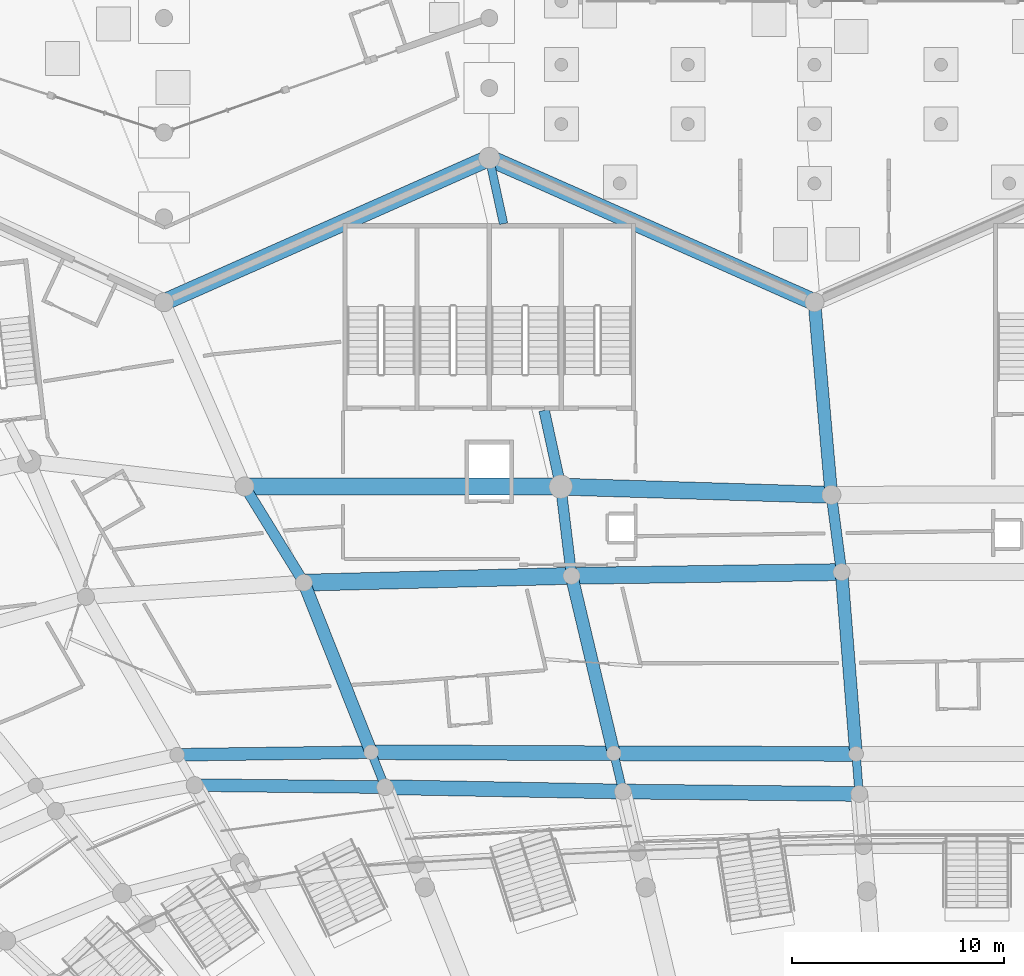
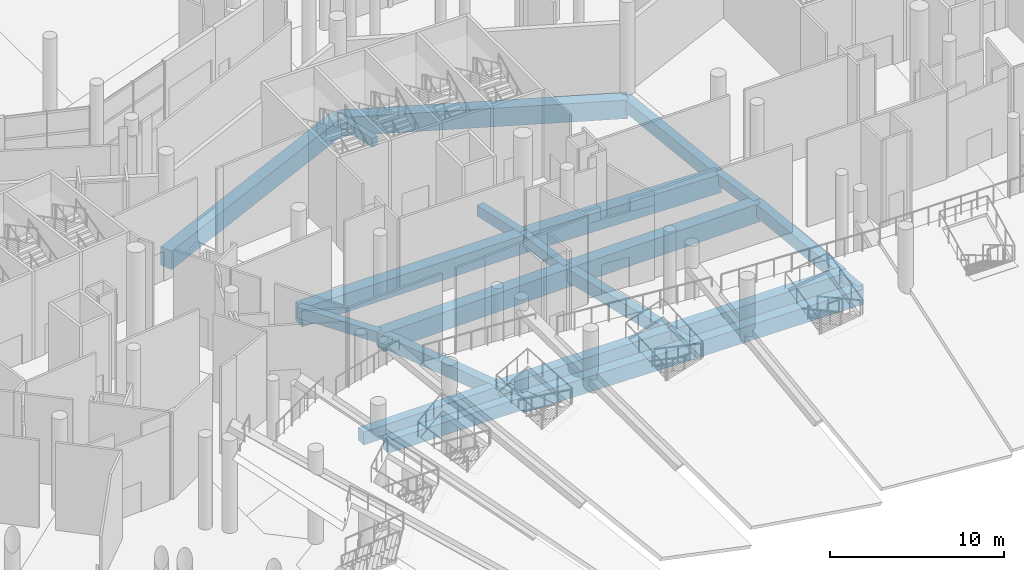
# One storey, part 53 of 255: 24 beams.
"""IFC4 building model written with IfcOpenShell, lengths in metres."""

from ifc_helpers import new_model, si_unit, direction, frame, origin, origin_2d, place, context, subcontext, project, spatial, rectangle, extrude, material, material_profile, profile_set, type_object, element, save


model = new_model("IFC4")

# Units and contexts
model_context = context("Model", 3, precision=1e-05, world=origin(), true_north=direction((0.0, 1.0)))
body_context = subcontext(model_context, "Body", "Model", "MODEL_VIEW")
ifc_project = project(units=[si_unit("LENGTHUNIT", "METRE"), si_unit("AREAUNIT", "SQUARE_METRE"), si_unit("VOLUMEUNIT", "CUBIC_METRE"), si_unit("PLANEANGLEUNIT", "RADIAN"), si_unit("MASSUNIT", "GRAM", prefix="KILO")], contexts=[model_context])

# Site, building, storey
site_placement = place(None, origin())
site = spatial("IfcSite", under=ifc_project, at=site_placement, CompositionType="ELEMENT")
building_placement = place(site_placement, origin())
building = spatial("IfcBuilding", under=site, at=building_placement, Name="Meseta Stadium", CompositionType="ELEMENT")
storey_placement = place(building_placement, origin())
storey = spatial("IfcBuildingStorey", under=building, at=storey_placement, Name="L00", CompositionType="ELEMENT", Elevation=0.0)

# Beams
ifc_material_1 = material(Name="Concrete C40/50", Category="concrete")
ifc_material_profile_1 = material_profile(ifc_material_1, rectangle(XDim=0.39990234375, YDim=0.60009765625, at=origin_2d()), Name="RC 400x600")
ifc_profile_set_1 = profile_set([ifc_material_profile_1], Name="Concrete C40/50")
beam_type_1 = type_object("IfcBeamType", Name="RC beam 400x600", PredefinedType="BEAM", material=ifc_profile_set_1)
beam_1_placement = place(storey_placement, frame((-5.556640625, 75.414794921875, -0.699951171875), z_axis=(-0.079110203973, 0.996865876448, 0.0), x_axis=(-0.996865876448, -0.079110203973, 0.0)))
element("IfcBeam", 1, at=beam_1_placement, inside=storey, type_object=beam_type_1, Name="L00 radial beam frame 19 line C to D", PredefinedType="BEAM", context=body_context, shape_type="SweptSolid", body=[
    extrude(rectangle(XDim=0.39990234375, YDim=0.60009765625, at=origin_2d()), origin(), (0.0, 0.0, 1.0), 1.894775390625),
])
beam_2_placement = place(storey_placement, frame((-16.697509765625, 75.529296875, -0.699951171875), z_axis=(-0.231608653228, 0.97280904177, 0.0), x_axis=(-0.97280904177, -0.231608653228, 0.0)))
element("IfcBeam", 2, at=beam_2_placement, inside=storey, type_object=beam_type_1, Name="L00 radial beam frame 20 line C to D", PredefinedType="BEAM", context=body_context, shape_type="SweptSolid", body=[
    extrude(rectangle(XDim=0.39990234375, YDim=0.60009765625, at=origin_2d()), origin(), (0.0, 0.0, 1.0), 1.85302734375),
])
beam_3_placement = place(storey_placement, frame((-22.3251953125, 102.300048828125, -0.699951171875), z_axis=(-0.212707595725, 0.977115898305, 0.0), x_axis=(-0.977115898305, -0.212707595725, 0.0)))
element("IfcBeam", 3, at=beam_3_placement, inside=storey, type_object=beam_type_1, Name="L00 radial beam frame 20 line P to R", PredefinedType="BEAM", context=body_context, shape_type="SweptSolid", body=[
    extrude(rectangle(XDim=0.39990234375, YDim=0.60009765625, at=origin_2d()), origin(), (0.0, 0.0, 1.0), 3.17236328125),
])
beam_4_placement = place(storey_placement, frame((-27.910888671875, 75.735595703125, -0.699951171875), z_axis=(-0.368824744702, 0.929498955188, 0.0), x_axis=(-0.929498955188, -0.368824744702, 0.0)))
element("IfcBeam", 4, at=beam_4_placement, inside=storey, type_object=beam_type_1, Name="L00 radial beam frame 21 line C to D", PredefinedType="BEAM", context=body_context, shape_type="SweptSolid", body=[
    extrude(rectangle(XDim=0.39990234375, YDim=0.60009765625, at=origin_2d()), origin(), (0.0, 0.0, 1.0), 1.772705078125),
])
ifc_material_2 = material(Name="Concrete C40/50", Category="concrete")
ifc_material_profile_2 = material_profile(ifc_material_2, rectangle(XDim=0.5, YDim=0.75, at=origin_2d()), Name="RC 500x750")
ifc_profile_set_2 = profile_set([ifc_material_profile_2], Name="Concrete C40/50")
beam_type_2 = type_object("IfcBeamType", Name="RC beam 500x750", PredefinedType="BEAM", material=ifc_profile_set_2)
beam_5_placement = place(storey_placement, frame((-6.386962890625, 85.876708984375, -0.77490234375), z_axis=(-0.131671729661, 0.991293375146, 0.0), x_axis=(-0.991293375146, -0.131671729661, 0.0)))
element("IfcBeam", 5, at=beam_5_placement, inside=storey, type_object=beam_type_2, Name="L00 radial beam frame 19 line E to P", PredefinedType="BEAM", context=body_context, shape_type="SweptSolid", body=[
    extrude(rectangle(XDim=0.5, YDim=0.75, at=origin_2d()), origin(), (0.0, 0.0, 1.0), 3.673095703125),
])
beam_6_placement = place(storey_placement, frame((-19.11865234375, 85.6982421875, -0.77490234375), z_axis=(-0.120104176055, 0.992761294015, 0.0), x_axis=(-0.992761294015, -0.120104176055, 0.0)))
element("IfcBeam", 6, at=beam_6_placement, inside=storey, type_object=beam_type_2, Name="L00 radial beam frame 20 line E to P", PredefinedType="BEAM", context=body_context, shape_type="SweptSolid", body=[
    extrude(rectangle(XDim=0.5, YDim=0.75, at=origin_2d()), origin(), (0.0, 0.0, 1.0), 4.236328125),
])
beam_7_placement = place(storey_placement, frame((-19.62744140625, 89.90380859375, -0.77490234375), z_axis=(-0.212671990307, 0.977123648541, 0.0), x_axis=(-0.977123648541, -0.212671990307, 0.0)))
element("IfcBeam", 7, at=beam_7_placement, inside=storey, type_object=beam_type_2, Name="L00 radial beam frame 20 line P to R", PredefinedType="BEAM", context=body_context, shape_type="SweptSolid", body=[
    extrude(rectangle(XDim=0.5, YDim=0.75, at=origin_2d()), origin(), (0.0, 0.0, 1.0), 3.680419921875),
])
beam_8_placement = place(storey_placement, frame((-31.73681640625, 85.376708984375, -0.77490234375), z_axis=(-0.52451674702, 0.85140013043, 0.0), x_axis=(-0.85140013043, -0.52451674702, 0.0)))
element("IfcBeam", 8, at=beam_8_placement, inside=storey, type_object=beam_type_2, Name="L00 radial beam frame 21 line E to P", PredefinedType="BEAM", context=body_context, shape_type="SweptSolid", body=[
    extrude(rectangle(XDim=0.5, YDim=0.75, at=origin_2d()), origin(), (0.0, 0.0, 1.0), 5.32666015625),
])
ifc_material_3 = material(Name="Concrete C40/50", Category="concrete")
ifc_material_profile_3 = material_profile(ifc_material_3, rectangle(XDim=0.60009765625, YDim=0.89990234375, at=origin_2d()), Name="RC 600x900")
ifc_profile_set_3 = profile_set([ifc_material_profile_3], Name="Concrete C40/50")
beam_type_3 = type_object("IfcBeamType", Name="RC beam 600x900", PredefinedType="BEAM", material=ifc_profile_set_3)
beam_9_placement = place(storey_placement, frame((-27.910888671875, 75.735595703125, -0.85009765625), z_axis=(-0.9999411049, 0.010852959601, 0.0), x_axis=(-0.010852959601, -0.9999411049, 0.0)))
element("IfcBeam", 9, at=beam_9_placement, inside=storey, type_object=beam_type_3, Name="L00 ring beam frame 21 line C", PredefinedType="BEAM", context=body_context, shape_type="SweptSolid", body=[
    extrude(rectangle(XDim=0.60009765625, YDim=0.89990234375, at=origin_2d()), origin(), (0.0, 0.0, 1.0), 8.9755859375),
])
beam_10_placement = place(storey_placement, frame((-28.564697265625, 77.38330078125, -0.85009765625), z_axis=(-0.999911672388, -0.013290877405, 0.0), x_axis=(0.013290877405, -0.999911672388, 0.0)))
element("IfcBeam", 10, at=beam_10_placement, inside=storey, type_object=beam_type_3, Name="L00 ring beam frame 21 line D", PredefinedType="BEAM", context=body_context, shape_type="SweptSolid", body=[
    extrude(rectangle(XDim=0.60009765625, YDim=0.89990234375, at=origin_2d()), origin(), (0.0, 0.0, 1.0), 9.147705078125),
])
beam_11_placement = place(storey_placement, frame((-5.70654296875, 77.3037109375, -0.85009765625), z_axis=(-0.079118987749, 0.996865179338, 0.0), x_axis=(-0.996865179338, -0.079118987749, 0.0)))
element("IfcBeam", 11, at=beam_11_placement, inside=storey, type_object=beam_type_3, Name="L00 radial beam frame 19 line D to E", PredefinedType="BEAM", context=body_context, shape_type="SweptSolid", body=[
    extrude(rectangle(XDim=0.60009765625, YDim=0.89990234375, at=origin_2d()), origin(), (0.0, 0.0, 1.0), 8.599853515625),
])
beam_12_placement = place(storey_placement, frame((-6.87060546875, 89.517822265625, -0.85009765625), z_axis=(-0.087324072983, 0.996179956774, 0.0), x_axis=(-0.996179956774, -0.087324072983, 0.0)))
element("IfcBeam", 12, at=beam_12_placement, inside=storey, type_object=beam_type_3, Name="L00 radial beam frame 19 line P to R", PredefinedType="BEAM", context=body_context, shape_type="SweptSolid", body=[
    extrude(rectangle(XDim=0.60009765625, YDim=0.89990234375, at=origin_2d()), origin(), (0.0, 0.0, 1.0), 9.1171875),
])
beam_13_placement = place(storey_placement, frame((-17.126708984375, 77.33203125, -0.85009765625), z_axis=(-0.23161924801, 0.972806519279, 0.0), x_axis=(-0.972806519279, -0.23161924801, 0.0)))
element("IfcBeam", 13, at=beam_13_placement, inside=storey, type_object=beam_type_3, Name="L00 radial beam frame 20 line D to E", PredefinedType="BEAM", context=body_context, shape_type="SweptSolid", body=[
    extrude(rectangle(XDim=0.60009765625, YDim=0.89990234375, at=origin_2d()), origin(), (0.0, 0.0, 1.0), 8.60009765625),
])
beam_14_placement = place(storey_placement, frame((-28.564697265625, 77.38330078125, -0.85009765625), z_axis=(-0.36885875695, 0.929485458424, 0.0), x_axis=(-0.929485458424, -0.36885875695, 0.0)))
element("IfcBeam", 14, at=beam_14_placement, inside=storey, type_object=beam_type_3, Name="L00 radial beam frame 21 line D to E", PredefinedType="BEAM", context=body_context, shape_type="SweptSolid", body=[
    extrude(rectangle(XDim=0.60009765625, YDim=0.89990234375, at=origin_2d()), origin(), (0.0, 0.0, 1.0), 8.599853515625),
])
ifc_material_4 = material(Name="Concrete C40/50", Category="concrete")
ifc_material_profile_4 = material_profile(ifc_material_4, rectangle(XDim=0.699951171875, YDim=1.10009765625, at=origin_2d()), Name="RC 700x1100")
ifc_profile_set_4 = profile_set([ifc_material_profile_4], Name="Concrete C40/50")
beam_type_4 = type_object("IfcBeamType", Name="RC beam 700x1100", PredefinedType="BEAM", material=ifc_profile_set_4)
beam_15_placement = place(storey_placement, frame((-5.556640625, 75.414794921875, -0.949951171875), z_axis=(-0.99994718914, 0.010277107175, 0.0), x_axis=(-0.010277107175, -0.99994718914, 0.0)))
element("IfcBeam", 15, at=beam_15_placement, inside=storey, type_object=beam_type_4, Name="L00 ring beam frame 19 line C", PredefinedType="BEAM", context=body_context, shape_type="SweptSolid", body=[
    extrude(rectangle(XDim=0.699951171875, YDim=1.10009765625, at=origin_2d()), origin(), (0.0, 0.0, 1.0), 11.141357421875),
])
beam_16_placement = place(storey_placement, frame((-5.70654296875, 77.3037109375, -0.949951171875), z_axis=(-0.999996925183, 0.002479843584, 0.0), x_axis=(-0.002479843584, -0.999996925183, 0.0)))
element("IfcBeam", 16, at=beam_16_placement, inside=storey, type_object=beam_type_4, Name="L00 ring beam frame 19 line D", PredefinedType="BEAM", context=body_context, shape_type="SweptSolid", body=[
    extrude(rectangle(XDim=0.699951171875, YDim=1.10009765625, at=origin_2d()), origin(), (0.0, 0.0, 1.0), 11.420166015625),
])
beam_17_placement = place(storey_placement, frame((-16.697509765625, 75.529296875, -0.949951171875), z_axis=(-0.999830807814, 0.018394448783, 0.0), x_axis=(-0.018394448783, -0.999830807814, 0.0)))
element("IfcBeam", 17, at=beam_17_placement, inside=storey, type_object=beam_type_4, Name="L00 ring beam frame 20 line C", PredefinedType="BEAM", context=body_context, shape_type="SweptSolid", body=[
    extrude(rectangle(XDim=0.699951171875, YDim=1.10009765625, at=origin_2d()), origin(), (0.0, 0.0, 1.0), 11.21533203125),
])
beam_18_placement = place(storey_placement, frame((-17.126708984375, 77.33203125, -0.949951171875), z_axis=(-0.999989954239, 0.004482345579, 0.0), x_axis=(-0.004482345579, -0.999989954239, 0.0)))
element("IfcBeam", 18, at=beam_18_placement, inside=storey, type_object=beam_type_4, Name="L00 ring beam frame 20 line D", PredefinedType="BEAM", context=body_context, shape_type="SweptSolid", body=[
    extrude(rectangle(XDim=0.699951171875, YDim=1.10009765625, at=origin_2d()), origin(), (0.0, 0.0, 1.0), 11.43798828125),
])
ifc_material_5 = material(Name="Concrete C40/50", Category="concrete")
ifc_material_profile_5 = material_profile(ifc_material_5, rectangle(XDim=0.800048828125, YDim=1.300048828125, at=origin_2d()), Name="RC 800x1300")
ifc_profile_set_5 = profile_set([ifc_material_profile_5], Name="Concrete C40/50")
beam_type_5 = type_object("IfcBeamType", Name="RC beam 800x1300", PredefinedType="BEAM", material=ifc_profile_set_5)
beam_19_placement = place(storey_placement, frame((-6.386962890625, 85.876708984375, -1.050048828125), z_axis=(-0.999901768948, -0.014016149746, 0.0), x_axis=(0.014016149746, -0.999901768948, 0.0)))
element("IfcBeam", 19, at=beam_19_placement, inside=storey, type_object=beam_type_5, Name="L00 ring beam frame 19 line E", PredefinedType="BEAM", context=body_context, shape_type="SweptSolid", body=[
    extrude(rectangle(XDim=0.800048828125, YDim=1.300048828125, at=origin_2d()), origin(), (0.0, 0.0, 1.0), 12.73291015625),
])
beam_20_placement = place(storey_placement, frame((-6.87060546875, 89.517822265625, -1.050048828125), z_axis=(-0.999542564532, 0.030243374311, 0.0), x_axis=(-0.030243374311, -0.999542564532, 0.0)))
element("IfcBeam", 20, at=beam_20_placement, inside=storey, type_object=beam_type_5, Name="L00 ring beam frame 19 line P", PredefinedType="BEAM", context=body_context, shape_type="SweptSolid", body=[
    extrude(rectangle(XDim=0.800048828125, YDim=1.300048828125, at=origin_2d()), origin(), (0.0, 0.0, 1.0), 12.7626953125),
])
beam_21_placement = place(storey_placement, frame((-7.666748046875, 98.60009765625, -1.050048828125), z_axis=(-0.914142564088, 0.405392861953, 0.0), x_axis=(-0.405392861953, -0.914142564088, 0.0)))
element("IfcBeam", 21, at=beam_21_placement, inside=storey, type_object=beam_type_5, Name="L00 ring beam frame 19 line R", PredefinedType="BEAM", context=body_context, shape_type="SweptSolid", body=[
    extrude(rectangle(XDim=0.800048828125, YDim=1.300048828125, at=origin_2d()), origin(), (0.0, 0.0, 1.0), 16.7734375),
])
beam_22_placement = place(storey_placement, frame((-19.11865234375, 85.6982421875, -1.050048828125), z_axis=(-0.999675497622, -0.02547350496, 0.0), x_axis=(0.02547350496, -0.999675497622, 0.0)))
element("IfcBeam", 22, at=beam_22_placement, inside=storey, type_object=beam_type_5, Name="L00 ring beam frame 20 line E", PredefinedType="BEAM", context=body_context, shape_type="SweptSolid", body=[
    extrude(rectangle(XDim=0.800048828125, YDim=1.300048828125, at=origin_2d()), origin(), (0.0, 0.0, 1.0), 12.622314453125),
])
beam_23_placement = place(storey_placement, frame((-19.62744140625, 89.90380859375, -1.050048828125), z_axis=(-0.999999853879, 0.000540593591, 0.0), x_axis=(-0.000540593591, -0.999999853879, 0.0)))
element("IfcBeam", 23, at=beam_23_placement, inside=storey, type_object=beam_type_5, Name="L00 ring beam frame 20 line P", PredefinedType="BEAM", context=body_context, shape_type="SweptSolid", body=[
    extrude(rectangle(XDim=0.800048828125, YDim=1.300048828125, at=origin_2d()), origin(), (0.0, 0.0, 1.0), 14.9033203125),
])
beam_24_placement = place(storey_placement, frame((-23.0, 105.39990234375, -1.050048828125), z_axis=(-0.914142564088, -0.405392861953, 0.0), x_axis=(0.405392861953, -0.914142564088, 0.0)))
element("IfcBeam", 24, at=beam_24_placement, inside=storey, type_object=beam_type_5, Name="L00 ring beam frame 20 line R", PredefinedType="BEAM", context=body_context, shape_type="SweptSolid", body=[
    extrude(rectangle(XDim=0.800048828125, YDim=1.300048828125, at=origin_2d()), origin(), (0.0, 0.0, 1.0), 16.7734375),
])

save(model, "model.ifc")
